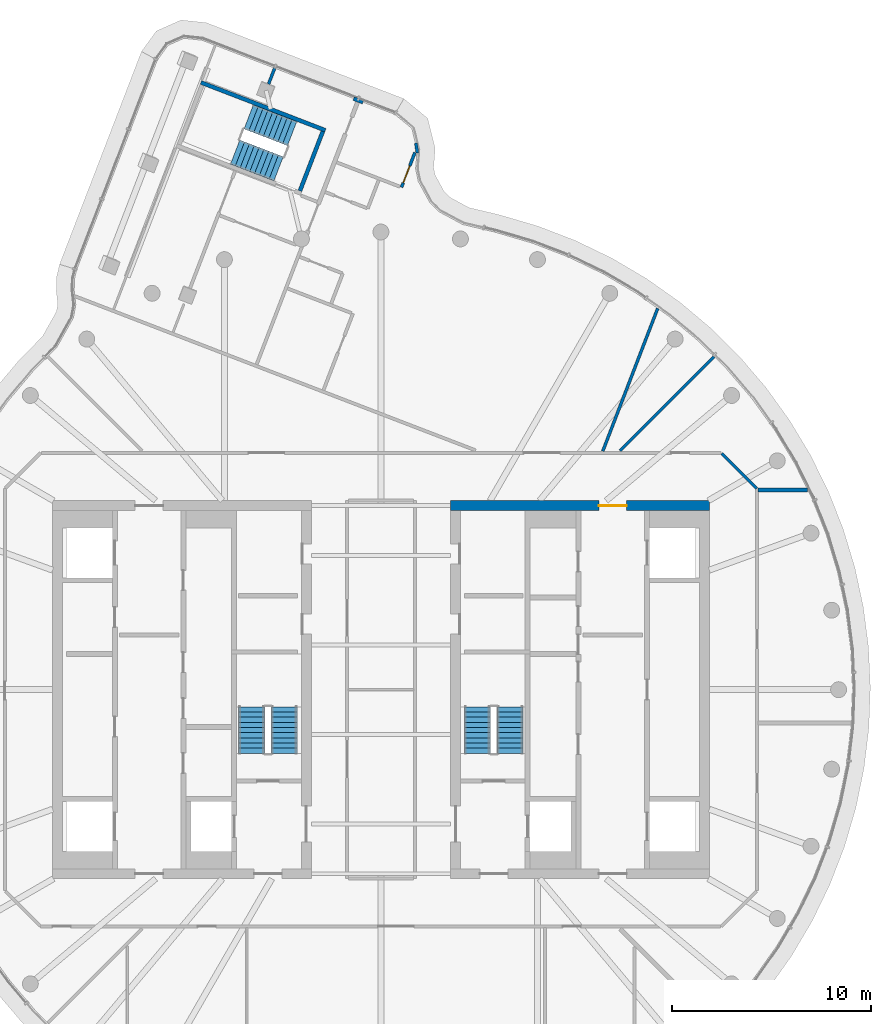
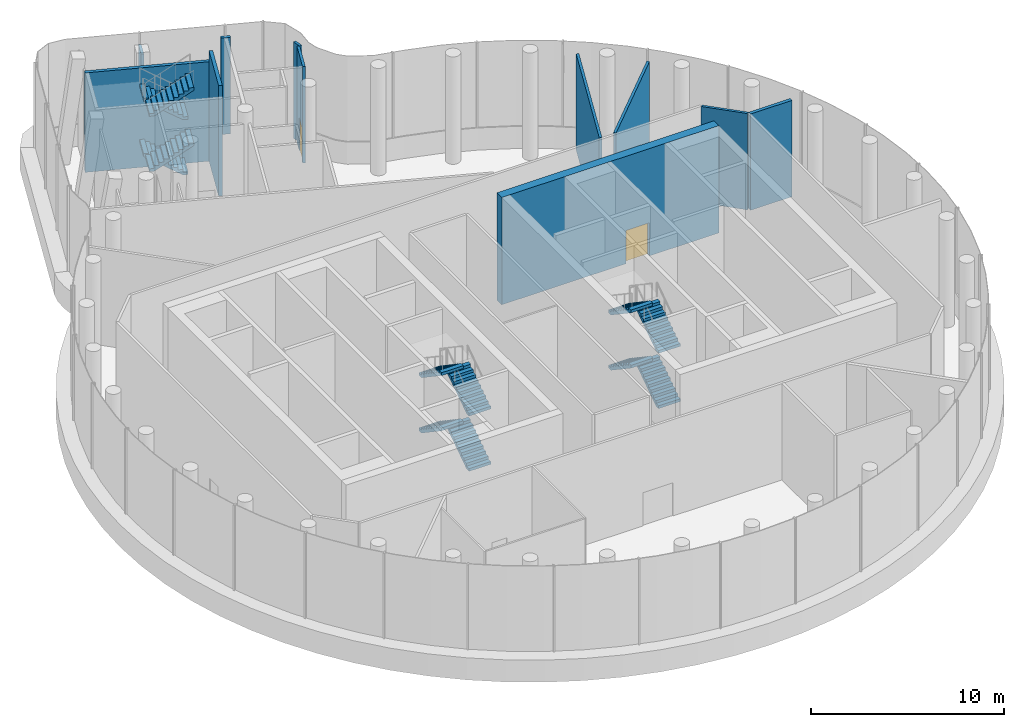
# One storey, part 11 of 12: 12 stair flights, 11 walls, 2 doors, 2 openings, 3 elements without a shape of their own.
"""IFC4 building model written with IfcOpenShell, lengths in metres."""

from ifc_helpers import new_model, si_unit, direction, frame, frame_2d, origin, place, context, subcontext, project, spatial, polyline, rectangle, outline, extrude, material, layer, layer_set, type_object, element, fill, aggregate, save


model = new_model("IFC4")

# Units and contexts
model_context = context("Model", 3, precision=1e-05, world=origin(), true_north=direction((0.0, 1.0)))
body_context = subcontext(model_context, "Body", "Model", "MODEL_VIEW")
ifc_project = project(units=[si_unit("LENGTHUNIT", "METRE"), si_unit("AREAUNIT", "SQUARE_METRE"), si_unit("VOLUMEUNIT", "CUBIC_METRE"), si_unit("PLANEANGLEUNIT", "RADIAN"), si_unit("MASSUNIT", "GRAM", prefix="KILO")], contexts=[model_context])

# Site, building, storey
site_placement = place(None, origin())
site = spatial("IfcSite", under=ifc_project, at=site_placement, CompositionType="ELEMENT")
building_placement = place(site_placement, origin())
building = spatial("IfcBuilding", under=site, at=building_placement, Name="Tamarind Cross Interchange Tower", CompositionType="ELEMENT")
storey_placement = place(building_placement, frame((0.0, 0.0, 287.39990234375)))
storey = spatial("IfcBuildingStorey", under=building, at=storey_placement, Name="L72", CompositionType="ELEMENT", Elevation=287.39990234375)

# Wall, opening, door
ifc_material_1 = material(Name="Concrete C50", Category="concrete")
ifc_layer_1 = layer(ifc_material_1, 0.5)
ifc_layer_set_1 = layer_set([ifc_layer_1], Name="Concrete C50")
wall_type_1 = type_object("IfcWallType", Name="Core wall 500 mm Concrete C50", PredefinedType="SHEAR", material=ifc_layer_set_1)
wall_1_placement = place(storey_placement, frame((16.5, 9.25, 0.0), z_axis=(0.0, 0.0, 1.0), x_axis=(-1.0, 0.0, 0.0)))
wall_1 = element("IfcWall", 1, at=wall_1_placement, inside=storey, type_object=wall_type_1, Name="Core wall CWL-L72-E-N", PredefinedType="SHEAR", context=body_context, shape_type="SweptSolid", body=[
    extrude(rectangle(XDim=13.0, YDim=0.5, at=frame_2d((6.5, 0.0))), origin(), (0.0, 0.0, 1.0), 6.800048828125),
])
opening_1_placement = place(wall_1_placement, frame((4.14990234375, 0.0, 0.0)))
opening_1 = element("IfcOpeningElement", 2, at=opening_1_placement, cuts=wall_1, Name="Opening DCE3", PredefinedType="OPENING", context=body_context, shape_type="SweptSolid", body=[
    extrude(rectangle(XDim=1.39990234375, YDim=2.10009765625, at=frame_2d((0.699951171875, 1.050048828125))), frame((0.0, 0.260009765625, 0.0), z_axis=(0.0, -1.0, 0.0), x_axis=(1.0, 0.0, 0.0)), (0.0, 0.0, 1.0), 0.52001953125),
])
ifc_material_2 = material(Name="Steel, fire-resisting", Category="steel")
door_type_1 = type_object("IfcDoorType", Name="Core fire door 1400 x 2100 FD90", OperationType="SINGLE_SWING_LEFT", PredefinedType="DOOR", material=ifc_material_2)
door_1_placement = place(opening_1_placement, origin())
door_1 = element("IfcDoor", 3, at=door_1_placement, inside=storey, type_object=door_type_1, Name="L72 observation lobby door", OperationType="SINGLE_SWING_LEFT", OverallHeight=2.10009765625, OverallWidth=1.39990234375, PredefinedType="DOOR", context=body_context, shape_type="SweptSolid", body=[
    extrude(rectangle(XDim=1.39990234375, YDim=2.10009765625, at=frame_2d((0.699951171875, 1.050048828125))), frame((0.0, 0.02490234375, 0.0), z_axis=(0.0, -1.0, 0.0), x_axis=(1.0, 0.0, 0.0)), (0.0, 0.0, 1.0), 0.050048828125),
])
fill(opening_1, door_1)

# Walls
ifc_material_3 = material(Name="Gypsum board partition on steel studs", Category="steel")
ifc_layer_2 = layer(ifc_material_3, 0.14990234375)
ifc_layer_set_2 = layer_set([ifc_layer_2], Name="Gypsum board partition on steel studs")
wall_type_2 = type_object("IfcWallType", Name="Partition 150 mm EI 120", PredefinedType="PARTITIONING", material=ifc_layer_set_2)
wall_2_placement = place(storey_placement, frame((17.12841796875, 11.87158203125, 0.0), z_axis=(0.0, 0.0, 1.0), x_axis=(0.707106781187, -0.707106781187, 0.0)))
element("IfcWall", 4, at=wall_2_placement, inside=storey, type_object=wall_type_2, Name="Partition L72-004", PredefinedType="PARTITIONING", context=body_context, shape_type="SweptSolid", body=[
    extrude(rectangle(XDim=2.485595703125, YDim=0.14990234375, at=frame_2d((1.24267578125, 0.0))), origin(), (0.0, 0.0, 1.0), 6.10009765625),
])
wall_3_placement = place(storey_placement, frame((12.009521484375, 12.009521484375, 0.0), z_axis=(0.0, 0.0, 1.0), x_axis=(0.707106781187, 0.707106781187, 0.0)))
element("IfcWall", 5, at=wall_3_placement, inside=storey, type_object=wall_type_2, Name="Partition L72-023", PredefinedType="PARTITIONING", context=body_context, shape_type="SweptSolid", body=[
    extrude(rectangle(XDim=6.690673828125, YDim=0.14990234375, at=frame_2d((3.34521484375, 0.0))), origin(), (0.0, 0.0, 1.0), 6.10009765625),
])
wall_4_placement = place(storey_placement, frame((-5.646484375, 30.43701171875, 0.0), z_axis=(0.0, 0.0, 1.0), x_axis=(0.358959882096, 0.93335298952, 0.0)))
element("IfcWall", 6, at=wall_4_placement, inside=storey, type_object=wall_type_2, Name="Partition L72-029", PredefinedType="PARTITIONING", context=body_context, shape_type="SweptSolid", body=[
    extrude(rectangle(XDim=0.852294921875, YDim=0.14990234375, at=frame_2d((0.42626953125, 0.0))), origin(), (0.0, 0.0, 1.0), 6.10009765625),
])

# Wall, opening, door
wall_5_placement = place(storey_placement, frame((1.033447265625, 25.2451171875, 0.0), z_axis=(0.0, 0.0, 1.0), x_axis=(0.359048792094, 0.933318790605, 0.0)))
wall_5 = element("IfcWall", 7, at=wall_5_placement, inside=storey, type_object=wall_type_2, Name="Partition L72-033", PredefinedType="PARTITIONING", context=body_context, shape_type="SweptSolid", body=[
    extrude(rectangle(XDim=1.87744140625, YDim=0.14990234375, at=frame_2d((0.938720703125, 0.0))), origin(), (0.0, 0.0, 1.0), 6.10009765625),
])
opening_2_placement = place(wall_5_placement, frame((0.25, 0.0, 0.0)))
opening_2 = element("IfcOpeningElement", 8, at=opening_2_placement, cuts=wall_5, Name="Opening D16", PredefinedType="OPENING", context=body_context, shape_type="SweptSolid", body=[
    extrude(rectangle(XDim=0.89990234375, YDim=2.10009765625, at=frame_2d((0.449951171875, 1.050048828125))), frame((0.0, 0.0849609375, 0.0), z_axis=(0.0, -1.0, 0.0), x_axis=(1.0, 0.0, 0.0)), (0.0, 0.0, 1.0), 0.169921875),
])
ifc_material_4 = material(Name="Fire-resisting door set")
door_type_2 = type_object("IfcDoorType", Name="Interior door 900 x 2100 FD60S", OperationType="SINGLE_SWING_LEFT", PredefinedType="DOOR", material=ifc_material_4)
door_2_placement = place(opening_2_placement, origin())
door_2 = element("IfcDoor", 9, at=door_2_placement, inside=storey, type_object=door_type_2, Name="Door D16", OperationType="SINGLE_SWING_RIGHT", OverallHeight=2.10009765625, OverallWidth=0.89990234375, PredefinedType="DOOR", context=body_context, shape_type="SweptSolid", body=[
    extrude(rectangle(XDim=0.89990234375, YDim=2.10009765625, at=frame_2d((0.449951171875, 1.050048828125))), frame((0.0, 0.02490234375, 0.0), z_axis=(0.0, -1.0, 0.0), x_axis=(1.0, 0.0, 0.0)), (0.0, 0.0, 1.0), 0.050048828125),
])
fill(opening_2, door_2)

# Walls
wall_6_placement = place(storey_placement, frame((11.147216796875, 11.98388671875, 0.0), z_axis=(0.0, 0.0, 1.0), x_axis=(0.358991844547, 0.933340696396, 0.0)))
element("IfcWall", 10, at=wall_6_placement, inside=storey, type_object=wall_type_2, Name="Partition L72-036", PredefinedType="PARTITIONING", context=body_context, shape_type="SweptSolid", body=[
    extrude(rectangle(XDim=7.689697265625, YDim=0.14990234375, at=frame_2d((3.8447265625, 0.0))), origin(), (0.0, 0.0, 1.0), 6.10009765625),
])
wall_7_placement = place(storey_placement, frame((1.83349609375, 26.974609375, 0.0), z_axis=(0.0, 0.0, 1.0), x_axis=(-0.159723843543, 0.987161736396, 0.0)))
element("IfcWall", 11, at=wall_7_placement, inside=storey, type_object=wall_type_2, Name="Partition L72-045", PredefinedType="PARTITIONING", context=body_context, shape_type="SweptSolid", body=[
    extrude(rectangle(XDim=0.499755859375, YDim=0.14990234375, at=frame_2d((0.25, 0.0))), origin(), (0.0, 0.0, 1.0), 6.10009765625),
])
ifc_layer_3 = layer(ifc_material_3, 0.199951171875)
ifc_layer_set_3 = layer_set([ifc_layer_3], Name="Gypsum board partition on steel studs")
wall_type_3 = type_object("IfcWallType", Name="Partition 200 mm EI 180", PredefinedType="PARTITIONING", material=ifc_layer_set_3)
wall_8_placement = place(storey_placement, frame((18.955078125, 10.044921875, 0.0), z_axis=(0.0, 0.0, 1.0), x_axis=(1.0, 0.0, 0.0)))
element("IfcWall", 12, at=wall_8_placement, inside=storey, type_object=wall_type_3, Name="Partition L72-020", PredefinedType="PARTITIONING", context=body_context, shape_type="SweptSolid", body=[
    extrude(rectangle(XDim=2.488525390625, YDim=0.199951171875, at=frame_2d((1.244140625, 0.0))), origin(), (0.0, 0.0, 1.0), 6.10009765625),
])
wall_9_placement = place(storey_placement, frame((-0.905517578125, 29.526123046875, 0.0), z_axis=(0.0, 0.0, 1.0), x_axis=(-0.933408502227, 0.358815506871, 0.0)))
element("IfcWall", 13, at=wall_9_placement, inside=storey, type_object=wall_type_3, Name="Partition L72-046", PredefinedType="PARTITIONING", context=body_context, shape_type="SweptSolid", body=[
    extrude(rectangle(XDim=0.5, YDim=0.199951171875, at=frame_2d((0.25, 0.0))), origin(), (0.0, 0.0, 1.0), 6.10009765625),
])
ifc_material_5 = material(Name="Concrete C40", Category="concrete")
ifc_layer_4 = layer(ifc_material_5, 0.199951171875)
ifc_layer_set_4 = layer_set([ifc_layer_4], Name="Concrete C40")
wall_type_4 = type_object("IfcWallType", Name="Stair shaft wall 200 mm Concrete C40", PredefinedType="SHEAR", material=ifc_layer_set_4)
wall_10_placement = place(storey_placement, frame((-2.792236328125, 28.110107421875, -0.199951171875), z_axis=(0.0, 0.0, 1.0), x_axis=(-0.933310853346, 0.359069423686, 0.0)))
element("IfcWall", 14, at=wall_10_placement, inside=storey, type_object=wall_type_4, Name="Core wall CWL-L72-ST4-C", PredefinedType="SHEAR", context=body_context, shape_type="SweptSolid", body=[
    extrude(rectangle(XDim=6.699951171875, YDim=0.199951171875, at=frame_2d((3.35009765625, 0.0))), origin(), (0.0, 0.0, 1.0), 6.300048828125),
])
wall_11_placement = place(storey_placement, frame((-2.92138671875, 28.052734375, -0.199951171875), z_axis=(0.0, 0.0, 1.0), x_axis=(-0.359111998838, -0.933294472442, 0.0)))
element("IfcWall", 15, at=wall_11_placement, inside=storey, type_object=wall_type_4, Name="Core wall CWL-L72-ST4-CE", PredefinedType="SHEAR", context=body_context, shape_type="SweptSolid", body=[
    extrude(rectangle(XDim=3.199951171875, YDim=0.199951171875, at=frame_2d((1.60009765625, 0.0))), origin(), (0.0, 0.0, 1.0), 7.0),
])

# Stair, stair flights
ifc_material_6 = material(Name="Exit stair")
stair_type = type_object("IfcStairType", Name="Exit stair", PredefinedType="HALF_TURN_STAIR", material=ifc_material_6)
stair_1_placement = place(storey_placement, origin())
stair_1 = element("IfcStair", 16, at=stair_1_placement, inside=storey, type_object=stair_type, Name="L72 exit stair ST1", PredefinedType="HALF_TURN_STAIR")
ifc_material_7 = material(Name="Exit stair flight")
stair_flight_type = type_object("IfcStairFlightType", Name="Exit stair flight", PredefinedType="STRAIGHT", material=ifc_material_7)
stair_flight_1_placement = place(storey_placement, frame((-4.85009765625, -3.199951171875, 0.0), z_axis=(0.0, 0.0, 1.0), x_axis=(0.0, 1.0, 0.0)))
stair_flight_1 = element("IfcStairFlight", 17, at=stair_flight_1_placement, type_object=stair_flight_type, Name="ST1 flight 1", NumberOfRisers=10, NumberOfTreads=9, PredefinedType="STRAIGHT", RiserHeight=0.175, TreadLength=0.26, context=body_context, shape_type="SweptSolid", body=[
    extrude(outline(polyline([(0.0, 0.0), (0.0, 0.175048828125), (0.260009765625, 0.175048828125), (0.260009765625, 0.35009765625), (0.52001953125, 0.35009765625), (0.52001953125, 0.52490234375), (0.780029296875, 0.52490234375), (0.780029296875, 0.699951171875), (1.0400390625, 0.699951171875), (1.0400390625, 0.875), (1.300048828125, 0.875), (1.300048828125, 1.050048828125), (1.56005859375, 1.050048828125), (1.56005859375, 1.22509765625), (1.820068359375, 1.22509765625), (1.820068359375, 1.39990234375), (2.080078125, 1.39990234375), (2.080078125, 1.574951171875), (2.340087890625, 1.574951171875), (2.340087890625, 1.75), (2.340087890625, 1.394287109375), (0.2685546875, 0.0), (0.0, 0.0)])), frame((0.0, 0.64990234375, 0.0), z_axis=(0.0, -1.0, 0.0), x_axis=(1.0, 0.0, 0.0)), (0.0, 0.0, 1.0), 1.300048828125),
])
stair_flight_2_placement = place(storey_placement, frame((-6.5, -0.860107421875, 1.75), z_axis=(0.0, 0.0, 1.0), x_axis=(0.0, -1.0, 0.0)))
stair_flight_2 = element("IfcStairFlight", 18, at=stair_flight_2_placement, type_object=stair_flight_type, Name="ST1 flight 2", NumberOfRisers=10, NumberOfTreads=9, PredefinedType="STRAIGHT", RiserHeight=0.175, TreadLength=0.26, context=body_context, shape_type="SweptSolid", body=[
    extrude(outline(polyline([(0.0, 0.0), (0.0, 0.175048828125), (0.260009765625, 0.175048828125), (0.260009765625, 0.35009765625), (0.52001953125, 0.35009765625), (0.52001953125, 0.52490234375), (0.780029296875, 0.52490234375), (0.780029296875, 0.699951171875), (1.0400390625, 0.699951171875), (1.0400390625, 0.875), (1.300048828125, 0.875), (1.300048828125, 1.050048828125), (1.56005859375, 1.050048828125), (1.56005859375, 1.22509765625), (1.820068359375, 1.22509765625), (1.820068359375, 1.39990234375), (2.080078125, 1.39990234375), (2.080078125, 1.574951171875), (2.340087890625, 1.574951171875), (2.340087890625, 1.75), (2.340087890625, 1.394287109375), (0.2685546875, 0.0), (0.0, 0.0)])), frame((0.0, 0.64990234375, 0.0), z_axis=(0.0, -1.0, 0.0), x_axis=(1.0, 0.0, 0.0)), (0.0, 0.0, 1.0), 1.300048828125),
])
stair_flight_3_placement = place(storey_placement, frame((-4.85009765625, -3.199951171875, 3.5), z_axis=(0.0, 0.0, 1.0), x_axis=(0.0, 1.0, 0.0)))
stair_flight_3 = element("IfcStairFlight", 19, at=stair_flight_3_placement, type_object=stair_flight_type, Name="ST1 flight 3", NumberOfRisers=10, NumberOfTreads=9, PredefinedType="STRAIGHT", RiserHeight=0.175, TreadLength=0.26, context=body_context, shape_type="SweptSolid", body=[
    extrude(outline(polyline([(0.0, 0.0), (0.0, 0.175048828125), (0.260009765625, 0.175048828125), (0.260009765625, 0.35009765625), (0.52001953125, 0.35009765625), (0.52001953125, 0.52490234375), (0.780029296875, 0.52490234375), (0.780029296875, 0.699951171875), (1.0400390625, 0.699951171875), (1.0400390625, 0.875), (1.300048828125, 0.875), (1.300048828125, 1.050048828125), (1.56005859375, 1.050048828125), (1.56005859375, 1.22509765625), (1.820068359375, 1.22509765625), (1.820068359375, 1.39990234375), (2.080078125, 1.39990234375), (2.080078125, 1.574951171875), (2.340087890625, 1.574951171875), (2.340087890625, 1.75), (2.340087890625, 1.394287109375), (0.2685546875, 0.0), (0.0, 0.0)])), frame((0.0, 0.64990234375, 0.0), z_axis=(0.0, -1.0, 0.0), x_axis=(1.0, 0.0, 0.0)), (0.0, 0.0, 1.0), 1.300048828125),
])
stair_flight_4_placement = place(storey_placement, frame((-6.5, -0.860107421875, 5.25), z_axis=(0.0, 0.0, 1.0), x_axis=(0.0, -1.0, 0.0)))
stair_flight_4 = element("IfcStairFlight", 20, at=stair_flight_4_placement, type_object=stair_flight_type, Name="ST1 flight 4", NumberOfRisers=10, NumberOfTreads=9, PredefinedType="STRAIGHT", RiserHeight=0.175, TreadLength=0.26, context=body_context, shape_type="SweptSolid", body=[
    extrude(outline(polyline([(0.0, 0.0), (0.0, 0.175048828125), (0.260009765625, 0.175048828125), (0.260009765625, 0.35009765625), (0.52001953125, 0.35009765625), (0.52001953125, 0.52490234375), (0.780029296875, 0.52490234375), (0.780029296875, 0.699951171875), (1.0400390625, 0.699951171875), (1.0400390625, 0.875), (1.300048828125, 0.875), (1.300048828125, 1.050048828125), (1.56005859375, 1.050048828125), (1.56005859375, 1.22509765625), (1.820068359375, 1.22509765625), (1.820068359375, 1.39990234375), (2.080078125, 1.39990234375), (2.080078125, 1.574951171875), (2.340087890625, 1.574951171875), (2.340087890625, 1.75), (2.340087890625, 1.394287109375), (0.2685546875, 0.0), (0.0, 0.0)])), frame((0.0, 0.64990234375, 0.0), z_axis=(0.0, -1.0, 0.0), x_axis=(1.0, 0.0, 0.0)), (0.0, 0.0, 1.0), 1.300048828125),
])
aggregate(stair_1, [stair_flight_1, stair_flight_2, stair_flight_3, stair_flight_4])

stair_2_placement = place(storey_placement, origin())
stair_2 = element("IfcStair", 21, at=stair_2_placement, inside=storey, type_object=stair_type, Name="L72 exit stair ST2", PredefinedType="HALF_TURN_STAIR")
stair_flight_5_placement = place(storey_placement, frame((6.5, -3.199951171875, 0.0), z_axis=(0.0, 0.0, 1.0), x_axis=(0.0, 1.0, 0.0)))
stair_flight_5 = element("IfcStairFlight", 22, at=stair_flight_5_placement, type_object=stair_flight_type, Name="ST2 flight 1", NumberOfRisers=10, NumberOfTreads=9, PredefinedType="STRAIGHT", RiserHeight=0.175, TreadLength=0.26, context=body_context, shape_type="SweptSolid", body=[
    extrude(outline(polyline([(0.0, 0.0), (0.0, 0.175048828125), (0.260009765625, 0.175048828125), (0.260009765625, 0.35009765625), (0.52001953125, 0.35009765625), (0.52001953125, 0.52490234375), (0.780029296875, 0.52490234375), (0.780029296875, 0.699951171875), (1.0400390625, 0.699951171875), (1.0400390625, 0.875), (1.300048828125, 0.875), (1.300048828125, 1.050048828125), (1.56005859375, 1.050048828125), (1.56005859375, 1.22509765625), (1.820068359375, 1.22509765625), (1.820068359375, 1.39990234375), (2.080078125, 1.39990234375), (2.080078125, 1.574951171875), (2.340087890625, 1.574951171875), (2.340087890625, 1.75), (2.340087890625, 1.394287109375), (0.2685546875, 0.0), (0.0, 0.0)])), frame((0.0, 0.64990234375, 0.0), z_axis=(0.0, -1.0, 0.0), x_axis=(1.0, 0.0, 0.0)), (0.0, 0.0, 1.0), 1.300048828125),
])
stair_flight_6_placement = place(storey_placement, frame((4.85009765625, -0.860107421875, 1.75), z_axis=(0.0, 0.0, 1.0), x_axis=(0.0, -1.0, 0.0)))
stair_flight_6 = element("IfcStairFlight", 23, at=stair_flight_6_placement, type_object=stair_flight_type, Name="ST2 flight 2", NumberOfRisers=10, NumberOfTreads=9, PredefinedType="STRAIGHT", RiserHeight=0.175, TreadLength=0.26, context=body_context, shape_type="SweptSolid", body=[
    extrude(outline(polyline([(0.0, 0.0), (0.0, 0.175048828125), (0.260009765625, 0.175048828125), (0.260009765625, 0.35009765625), (0.52001953125, 0.35009765625), (0.52001953125, 0.52490234375), (0.780029296875, 0.52490234375), (0.780029296875, 0.699951171875), (1.0400390625, 0.699951171875), (1.0400390625, 0.875), (1.300048828125, 0.875), (1.300048828125, 1.050048828125), (1.56005859375, 1.050048828125), (1.56005859375, 1.22509765625), (1.820068359375, 1.22509765625), (1.820068359375, 1.39990234375), (2.080078125, 1.39990234375), (2.080078125, 1.574951171875), (2.340087890625, 1.574951171875), (2.340087890625, 1.75), (2.340087890625, 1.394287109375), (0.2685546875, 0.0), (0.0, 0.0)])), frame((0.0, 0.64990234375, 0.0), z_axis=(0.0, -1.0, 0.0), x_axis=(1.0, 0.0, 0.0)), (0.0, 0.0, 1.0), 1.300048828125),
])
stair_flight_7_placement = place(storey_placement, frame((6.5, -3.199951171875, 3.5), z_axis=(0.0, 0.0, 1.0), x_axis=(0.0, 1.0, 0.0)))
stair_flight_7 = element("IfcStairFlight", 24, at=stair_flight_7_placement, type_object=stair_flight_type, Name="ST2 flight 3", NumberOfRisers=10, NumberOfTreads=9, PredefinedType="STRAIGHT", RiserHeight=0.175, TreadLength=0.26, context=body_context, shape_type="SweptSolid", body=[
    extrude(outline(polyline([(0.0, 0.0), (0.0, 0.175048828125), (0.260009765625, 0.175048828125), (0.260009765625, 0.35009765625), (0.52001953125, 0.35009765625), (0.52001953125, 0.52490234375), (0.780029296875, 0.52490234375), (0.780029296875, 0.699951171875), (1.0400390625, 0.699951171875), (1.0400390625, 0.875), (1.300048828125, 0.875), (1.300048828125, 1.050048828125), (1.56005859375, 1.050048828125), (1.56005859375, 1.22509765625), (1.820068359375, 1.22509765625), (1.820068359375, 1.39990234375), (2.080078125, 1.39990234375), (2.080078125, 1.574951171875), (2.340087890625, 1.574951171875), (2.340087890625, 1.75), (2.340087890625, 1.394287109375), (0.2685546875, 0.0), (0.0, 0.0)])), frame((0.0, 0.64990234375, 0.0), z_axis=(0.0, -1.0, 0.0), x_axis=(1.0, 0.0, 0.0)), (0.0, 0.0, 1.0), 1.300048828125),
])
stair_flight_8_placement = place(storey_placement, frame((4.85009765625, -0.860107421875, 5.25), z_axis=(0.0, 0.0, 1.0), x_axis=(0.0, -1.0, 0.0)))
stair_flight_8 = element("IfcStairFlight", 25, at=stair_flight_8_placement, type_object=stair_flight_type, Name="ST2 flight 4", NumberOfRisers=10, NumberOfTreads=9, PredefinedType="STRAIGHT", RiserHeight=0.175, TreadLength=0.26, context=body_context, shape_type="SweptSolid", body=[
    extrude(outline(polyline([(0.0, 0.0), (0.0, 0.175048828125), (0.260009765625, 0.175048828125), (0.260009765625, 0.35009765625), (0.52001953125, 0.35009765625), (0.52001953125, 0.52490234375), (0.780029296875, 0.52490234375), (0.780029296875, 0.699951171875), (1.0400390625, 0.699951171875), (1.0400390625, 0.875), (1.300048828125, 0.875), (1.300048828125, 1.050048828125), (1.56005859375, 1.050048828125), (1.56005859375, 1.22509765625), (1.820068359375, 1.22509765625), (1.820068359375, 1.39990234375), (2.080078125, 1.39990234375), (2.080078125, 1.574951171875), (2.340087890625, 1.574951171875), (2.340087890625, 1.75), (2.340087890625, 1.394287109375), (0.2685546875, 0.0), (0.0, 0.0)])), frame((0.0, 0.64990234375, 0.0), z_axis=(0.0, -1.0, 0.0), x_axis=(1.0, 0.0, 0.0)), (0.0, 0.0, 1.0), 1.300048828125),
])
aggregate(stair_2, [stair_flight_5, stair_flight_6, stair_flight_7, stair_flight_8])

stair_3_placement = place(storey_placement, origin())
stair_3 = element("IfcStair", 26, at=stair_3_placement, inside=storey, type_object=stair_type, Name="L72 exit stair ST4", PredefinedType="HALF_TURN_STAIR")
stair_flight_9_placement = place(storey_placement, frame((-4.46142578125, 27.94873046875, 0.0), z_axis=(0.0, 0.0, 1.0), x_axis=(-0.933309958089, 0.359071750673, 0.0)))
stair_flight_9 = element("IfcStairFlight", 27, at=stair_flight_9_placement, type_object=stair_flight_type, Name="ST4 flight 1", NumberOfRisers=10, NumberOfTreads=9, PredefinedType="STRAIGHT", RiserHeight=0.175, TreadLength=0.26, context=body_context, shape_type="SweptSolid", body=[
    extrude(outline(polyline([(0.0, 0.0), (0.0, 0.175048828125), (0.260009765625, 0.175048828125), (0.260009765625, 0.35009765625), (0.52001953125, 0.35009765625), (0.52001953125, 0.52490234375), (0.780029296875, 0.52490234375), (0.780029296875, 0.699951171875), (1.0400390625, 0.699951171875), (1.0400390625, 0.875), (1.300048828125, 0.875), (1.300048828125, 1.050048828125), (1.56005859375, 1.050048828125), (1.56005859375, 1.22509765625), (1.820068359375, 1.22509765625), (1.820068359375, 1.39990234375), (2.080078125, 1.39990234375), (2.080078125, 1.574951171875), (2.340087890625, 1.574951171875), (2.340087890625, 1.75), (2.340087890625, 1.394287109375), (0.2685546875, 0.0), (0.0, 0.0)])), frame((0.0, 0.64990234375, 0.0), z_axis=(0.0, -1.0, 0.0), x_axis=(1.0, 0.0, 0.0)), (0.0, 0.0, 1.0), 1.300048828125),
])
stair_flight_10_placement = place(storey_placement, frame((-7.32763671875, 27.015625, 1.75), z_axis=(0.0, 0.0, 1.0), x_axis=(0.933309958089, -0.359071750673, 0.0)))
stair_flight_10 = element("IfcStairFlight", 28, at=stair_flight_10_placement, type_object=stair_flight_type, Name="ST4 flight 2", NumberOfRisers=10, NumberOfTreads=9, PredefinedType="STRAIGHT", RiserHeight=0.175, TreadLength=0.26, context=body_context, shape_type="SweptSolid", body=[
    extrude(outline(polyline([(0.0, 0.0), (0.0, 0.175048828125), (0.260009765625, 0.175048828125), (0.260009765625, 0.35009765625), (0.52001953125, 0.35009765625), (0.52001953125, 0.52490234375), (0.780029296875, 0.52490234375), (0.780029296875, 0.699951171875), (1.0400390625, 0.699951171875), (1.0400390625, 0.875), (1.300048828125, 0.875), (1.300048828125, 1.050048828125), (1.56005859375, 1.050048828125), (1.56005859375, 1.22509765625), (1.820068359375, 1.22509765625), (1.820068359375, 1.39990234375), (2.080078125, 1.39990234375), (2.080078125, 1.574951171875), (2.340087890625, 1.574951171875), (2.340087890625, 1.75), (2.340087890625, 1.394287109375), (0.2685546875, 0.0), (0.0, 0.0)])), frame((0.0, 0.64990234375, 0.0), z_axis=(0.0, -1.0, 0.0), x_axis=(1.0, 0.0, 0.0)), (0.0, 0.0, 1.0), 1.300048828125),
])
stair_flight_11_placement = place(storey_placement, frame((-4.46142578125, 27.94873046875, 3.5), z_axis=(0.0, 0.0, 1.0), x_axis=(-0.933309958089, 0.359071750673, 0.0)))
stair_flight_11 = element("IfcStairFlight", 29, at=stair_flight_11_placement, type_object=stair_flight_type, Name="ST4 flight 3", NumberOfRisers=10, NumberOfTreads=9, PredefinedType="STRAIGHT", RiserHeight=0.175, TreadLength=0.26, context=body_context, shape_type="SweptSolid", body=[
    extrude(outline(polyline([(0.0, 0.0), (0.0, 0.175048828125), (0.260009765625, 0.175048828125), (0.260009765625, 0.35009765625), (0.52001953125, 0.35009765625), (0.52001953125, 0.52490234375), (0.780029296875, 0.52490234375), (0.780029296875, 0.699951171875), (1.0400390625, 0.699951171875), (1.0400390625, 0.875), (1.300048828125, 0.875), (1.300048828125, 1.050048828125), (1.56005859375, 1.050048828125), (1.56005859375, 1.22509765625), (1.820068359375, 1.22509765625), (1.820068359375, 1.39990234375), (2.080078125, 1.39990234375), (2.080078125, 1.574951171875), (2.340087890625, 1.574951171875), (2.340087890625, 1.75), (2.340087890625, 1.394287109375), (0.2685546875, 0.0), (0.0, 0.0)])), frame((0.0, 0.64990234375, 0.0), z_axis=(0.0, -1.0, 0.0), x_axis=(1.0, 0.0, 0.0)), (0.0, 0.0, 1.0), 1.300048828125),
])
stair_flight_12_placement = place(storey_placement, frame((-7.32763671875, 27.015625, 5.25), z_axis=(0.0, 0.0, 1.0), x_axis=(0.933309958089, -0.359071750673, 0.0)))
stair_flight_12 = element("IfcStairFlight", 30, at=stair_flight_12_placement, type_object=stair_flight_type, Name="ST4 flight 4", NumberOfRisers=10, NumberOfTreads=9, PredefinedType="STRAIGHT", RiserHeight=0.175, TreadLength=0.26, context=body_context, shape_type="SweptSolid", body=[
    extrude(outline(polyline([(0.0, 0.0), (0.0, 0.175048828125), (0.260009765625, 0.175048828125), (0.260009765625, 0.35009765625), (0.52001953125, 0.35009765625), (0.52001953125, 0.52490234375), (0.780029296875, 0.52490234375), (0.780029296875, 0.699951171875), (1.0400390625, 0.699951171875), (1.0400390625, 0.875), (1.300048828125, 0.875), (1.300048828125, 1.050048828125), (1.56005859375, 1.050048828125), (1.56005859375, 1.22509765625), (1.820068359375, 1.22509765625), (1.820068359375, 1.39990234375), (2.080078125, 1.39990234375), (2.080078125, 1.574951171875), (2.340087890625, 1.574951171875), (2.340087890625, 1.75), (2.340087890625, 1.394287109375), (0.2685546875, 0.0), (0.0, 0.0)])), frame((0.0, 0.64990234375, 0.0), z_axis=(0.0, -1.0, 0.0), x_axis=(1.0, 0.0, 0.0)), (0.0, 0.0, 1.0), 1.300048828125),
])
aggregate(stair_3, [stair_flight_9, stair_flight_10, stair_flight_11, stair_flight_12])

save(model, "model.ifc")
